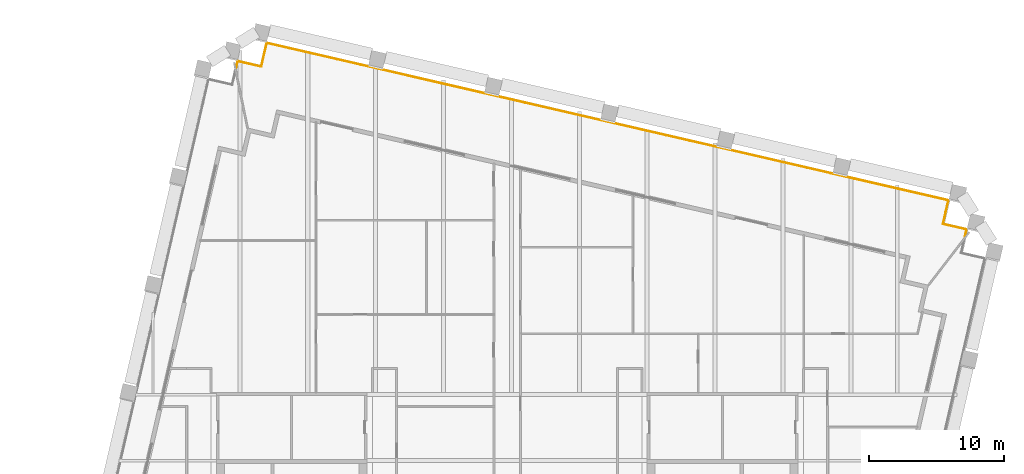
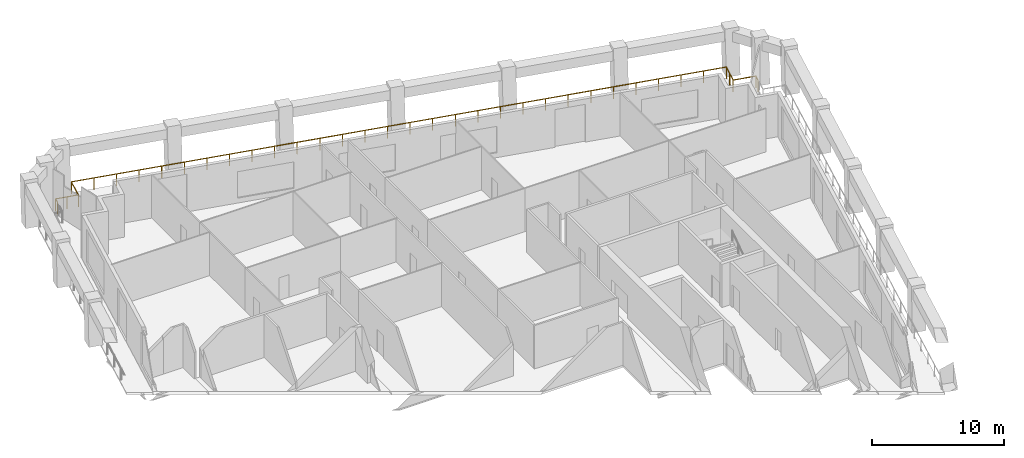
# One storey, part 10 of 10: 1 railing.
"""IFC4 building model written with IfcOpenShell, lengths in metres."""

from ifc_helpers import new_model, si_unit, direction, frame, origin, origin_2d, place, context, subcontext, project, spatial, circle, extrude, material, type_object, element, save


model = new_model("IFC4")

# Units and contexts
model_context = context("Model", 3, precision=1e-05, world=origin(), true_north=direction((0.0, 1.0)))
body_context = subcontext(model_context, "Body", "Model", "MODEL_VIEW")
ifc_project = project(units=[si_unit("LENGTHUNIT", "METRE"), si_unit("AREAUNIT", "SQUARE_METRE"), si_unit("VOLUMEUNIT", "CUBIC_METRE"), si_unit("PLANEANGLEUNIT", "RADIAN"), si_unit("MASSUNIT", "GRAM", prefix="KILO")], contexts=[model_context])

# Site, building, storey
site_placement = place(None, origin())
site = spatial("IfcSite", under=ifc_project, at=site_placement, CompositionType="ELEMENT")
building_placement = place(site_placement, origin())
building = spatial("IfcBuilding", under=site, at=building_placement, Name="Ogive Exchange Tower", CompositionType="ELEMENT")
storey_placement = place(building_placement, frame((0.0, 0.0, 268.199951171875)))
storey = spatial("IfcBuildingStorey", under=building, at=storey_placement, Name="L58", CompositionType="ELEMENT", Elevation=268.199951171875)

# Railing
ifc_material = material(Name="Stainless steel 316", Category="steel")
railing_type = type_object("IfcRailingType", Name="Guard 1100 stainless steel and glass", PredefinedType="GUARDRAIL", material=ifc_material)
railing_placement = place(storey_placement, frame((-20.12841796875, 54.80712890625, -0.050048828125)))
element("IfcRailing", 1, at=railing_placement, inside=storey, type_object=railing_type, Name="Loggia guard 3", PredefinedType="GUARDRAIL", context=body_context, shape_type="SweptSolid", body=[
    extrude(circle(Radius=0.02392578125, at=origin_2d()), frame((0.0, 0.0, 1.076171875), z_axis=(0.224515014412, 0.97447062978, 0.0), x_axis=(-0.97447062978, 0.224515014412, 0.0)), (0.0, 0.0, 1.0), 0.517578125),
    extrude(circle(Radius=0.02392578125, at=origin_2d()), frame((0.1162109375, 0.50439453125, 1.076171875), z_axis=(0.974386623598, -0.224879318197, 0.0), x_axis=(0.224879318197, 0.974386623598, 0.0)), (0.0, 0.0, 1.0), 1.800048828125),
    extrude(circle(Radius=0.02392578125, at=origin_2d()), frame((1.8701171875, 0.099609375, 1.076171875), z_axis=(0.22503782496, 0.974350028141, 0.0), x_axis=(-0.974350028141, 0.22503782496, 0.0)), (0.0, 0.0, 1.0), 1.7998046875),
    extrude(circle(Radius=0.02392578125, at=origin_2d()), frame((2.275146484375, 1.853271484375, 1.076171875), z_axis=(0.974370918954, -0.224947354501, 0.0), x_axis=(0.224947354501, 0.974370918954, 0.0)), (0.0, 0.0, 1.0), 51.9599609375),
    extrude(circle(Radius=0.02392578125, at=origin_2d()), frame((52.9033203125, -9.8349609375, 1.076171875), z_axis=(-0.224879318197, -0.974386623598, 0.0), x_axis=(0.974386623598, -0.224879318197, 0.0)), (0.0, 0.0, 1.0), 1.800048828125),
    extrude(circle(Radius=0.02392578125, at=origin_2d()), frame((52.49853515625, -11.5888671875, 1.076171875), z_axis=(0.974350028141, -0.22503782496, 0.0), x_axis=(0.22503782496, 0.974350028141, 0.0)), (0.0, 0.0, 1.0), 1.7998046875),
    extrude(circle(Radius=0.02392578125, at=origin_2d()), frame((54.252197265625, -11.993896484375, 1.076171875), z_axis=(-0.224515014412, -0.97447062978, 0.0), x_axis=(0.97447062978, -0.224515014412, 0.0)), (0.0, 0.0, 1.0), 0.517578125),
    extrude(circle(Radius=0.02099609375, at=origin_2d()), origin(), (0.0, 0.0, 1.0), 1.052001953125),
    extrude(circle(Radius=0.02099609375, at=origin_2d()), frame((0.1162109375, 0.50439453125, 0.0)), (0.0, 0.0, 1.0), 1.052001953125),
    extrude(circle(Radius=0.02099609375, at=origin_2d()), frame((0.9931640625, 0.302001953125, 0.0)), (0.0, 0.0, 1.0), 1.052001953125),
    extrude(circle(Radius=0.02099609375, at=origin_2d()), frame((1.8701171875, 0.099609375, 0.0)), (0.0, 0.0, 1.0), 1.052001953125),
    extrude(circle(Radius=0.02099609375, at=origin_2d()), frame((2.275146484375, 1.853271484375, 0.0)), (0.0, 0.0, 1.0), 1.052001953125),
    extrude(circle(Radius=0.02099609375, at=origin_2d()), frame((4.02099609375, 1.4501953125, 0.0)), (0.0, 0.0, 1.0), 1.052001953125),
    extrude(circle(Radius=0.02099609375, at=origin_2d()), frame((5.766845703125, 1.047119140625, 0.0)), (0.0, 0.0, 1.0), 1.052001953125),
    extrude(circle(Radius=0.02099609375, at=origin_2d()), frame((7.512451171875, 0.64404296875, 0.0)), (0.0, 0.0, 1.0), 1.052001953125),
    extrude(circle(Radius=0.02099609375, at=origin_2d()), frame((9.25830078125, 0.2412109375, 0.0)), (0.0, 0.0, 1.0), 1.052001953125),
    extrude(circle(Radius=0.02099609375, at=origin_2d()), frame((11.004150390625, -0.161865234375, 0.0)), (0.0, 0.0, 1.0), 1.052001953125),
    extrude(circle(Radius=0.02099609375, at=origin_2d()), frame((12.75, -0.56494140625, 0.0)), (0.0, 0.0, 1.0), 1.052001953125),
    extrude(circle(Radius=0.02099609375, at=origin_2d()), frame((14.495849609375, -0.968017578125, 0.0)), (0.0, 0.0, 1.0), 1.052001953125),
    extrude(circle(Radius=0.02099609375, at=origin_2d()), frame((16.241455078125, -1.37109375, 0.0)), (0.0, 0.0, 1.0), 1.052001953125),
    extrude(circle(Radius=0.02099609375, at=origin_2d()), frame((17.9873046875, -1.774169921875, 0.0)), (0.0, 0.0, 1.0), 1.052001953125),
    extrude(circle(Radius=0.02099609375, at=origin_2d()), frame((19.733154296875, -2.17724609375, 0.0)), (0.0, 0.0, 1.0), 1.052001953125),
    extrude(circle(Radius=0.02099609375, at=origin_2d()), frame((21.47900390625, -2.580078125, 0.0)), (0.0, 0.0, 1.0), 1.052001953125),
    extrude(circle(Radius=0.02099609375, at=origin_2d()), frame((23.224853515625, -2.983154296875, 0.0)), (0.0, 0.0, 1.0), 1.052001953125),
    extrude(circle(Radius=0.02099609375, at=origin_2d()), frame((24.970458984375, -3.38623046875, 0.0)), (0.0, 0.0, 1.0), 1.052001953125),
    extrude(circle(Radius=0.02099609375, at=origin_2d()), frame((26.71630859375, -3.789306640625, 0.0)), (0.0, 0.0, 1.0), 1.052001953125),
    extrude(circle(Radius=0.02099609375, at=origin_2d()), frame((28.462158203125, -4.1923828125, 0.0)), (0.0, 0.0, 1.0), 1.052001953125),
    extrude(circle(Radius=0.02099609375, at=origin_2d()), frame((30.2080078125, -4.595458984375, 0.0)), (0.0, 0.0, 1.0), 1.052001953125),
    extrude(circle(Radius=0.02099609375, at=origin_2d()), frame((31.95361328125, -4.99853515625, 0.0)), (0.0, 0.0, 1.0), 1.052001953125),
    extrude(circle(Radius=0.02099609375, at=origin_2d()), frame((33.699462890625, -5.401611328125, 0.0)), (0.0, 0.0, 1.0), 1.052001953125),
    extrude(circle(Radius=0.02099609375, at=origin_2d()), frame((35.4453125, -5.804443359375, 0.0)), (0.0, 0.0, 1.0), 1.052001953125),
    extrude(circle(Radius=0.02099609375, at=origin_2d()), frame((37.191162109375, -6.20751953125, 0.0)), (0.0, 0.0, 1.0), 1.052001953125),
    extrude(circle(Radius=0.02099609375, at=origin_2d()), frame((38.93701171875, -6.610595703125, 0.0)), (0.0, 0.0, 1.0), 1.052001953125),
    extrude(circle(Radius=0.02099609375, at=origin_2d()), frame((40.6826171875, -7.013671875, 0.0)), (0.0, 0.0, 1.0), 1.052001953125),
    extrude(circle(Radius=0.02099609375, at=origin_2d()), frame((42.428466796875, -7.416748046875, 0.0)), (0.0, 0.0, 1.0), 1.052001953125),
    extrude(circle(Radius=0.02099609375, at=origin_2d()), frame((44.17431640625, -7.81982421875, 0.0)), (0.0, 0.0, 1.0), 1.052001953125),
    extrude(circle(Radius=0.02099609375, at=origin_2d()), frame((45.920166015625, -8.222900390625, 0.0)), (0.0, 0.0, 1.0), 1.052001953125),
    extrude(circle(Radius=0.02099609375, at=origin_2d()), frame((47.666015625, -8.625732421875, 0.0)), (0.0, 0.0, 1.0), 1.052001953125),
    extrude(circle(Radius=0.02099609375, at=origin_2d()), frame((49.41162109375, -9.02880859375, 0.0)), (0.0, 0.0, 1.0), 1.052001953125),
    extrude(circle(Radius=0.02099609375, at=origin_2d()), frame((51.157470703125, -9.431884765625, 0.0)), (0.0, 0.0, 1.0), 1.052001953125),
    extrude(circle(Radius=0.02099609375, at=origin_2d()), frame((52.9033203125, -9.8349609375, 0.0)), (0.0, 0.0, 1.0), 1.052001953125),
    extrude(circle(Radius=0.02099609375, at=origin_2d()), frame((52.700927734375, -10.7119140625, 0.0)), (0.0, 0.0, 1.0), 1.052001953125),
    extrude(circle(Radius=0.02099609375, at=origin_2d()), frame((52.49853515625, -11.5888671875, 0.0)), (0.0, 0.0, 1.0), 1.052001953125),
    extrude(circle(Radius=0.02099609375, at=origin_2d()), frame((54.252197265625, -11.993896484375, 0.0)), (0.0, 0.0, 1.0), 1.052001953125),
    extrude(circle(Radius=0.02099609375, at=origin_2d()), frame((54.135986328125, -12.498291015625, 0.0)), (0.0, 0.0, 1.0), 1.052001953125),
])

save(model, "model.ifc")
